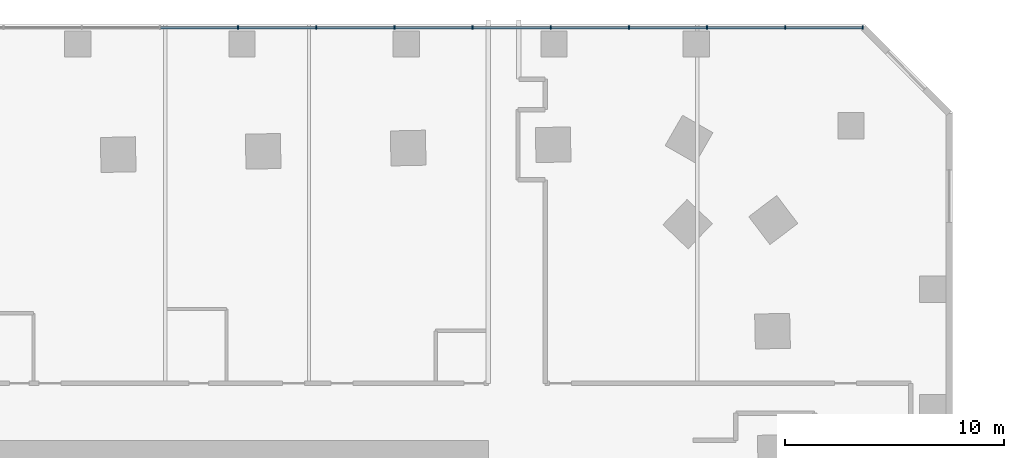
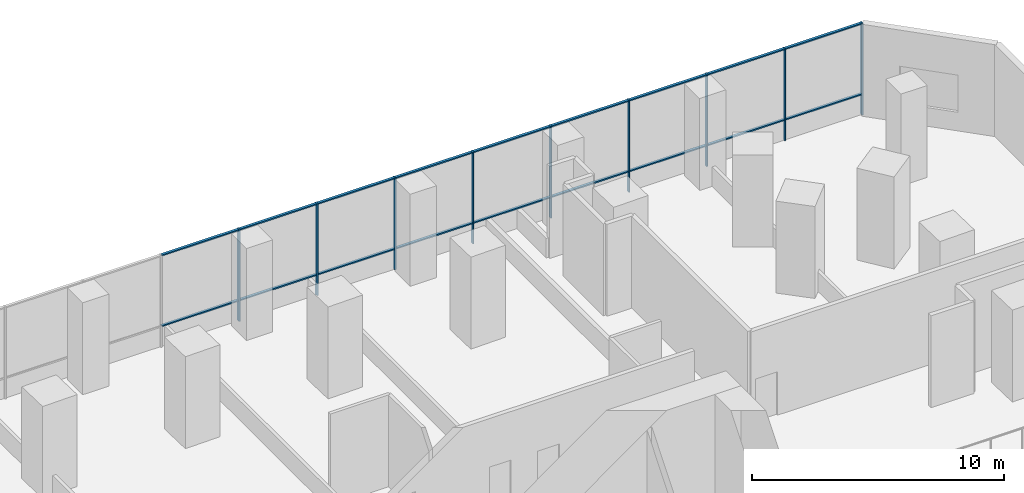
# One storey, part 3 of 12: 27 members, 1 element without a shape of its own.
"""IFC4 building model written with IfcOpenShell, lengths in metres."""

from ifc_helpers import new_model, si_unit, direction, frame, origin, origin_2d, place, context, subcontext, project, spatial, rectangle, extrude, material, material_profile, profile_set, type_object, element, aggregate, save


model = new_model("IFC4")

# Units and contexts
model_context = context("Model", 3, precision=1e-05, world=origin(), true_north=direction((0.0, 1.0)))
body_context = subcontext(model_context, "Body", "Model", "MODEL_VIEW")
ifc_project = project(units=[si_unit("LENGTHUNIT", "METRE"), si_unit("AREAUNIT", "SQUARE_METRE"), si_unit("VOLUMEUNIT", "CUBIC_METRE"), si_unit("PLANEANGLEUNIT", "RADIAN"), si_unit("MASSUNIT", "GRAM", prefix="KILO")], contexts=[model_context])

# Site, building, storey
site_placement = place(None, origin())
site = spatial("IfcSite", under=ifc_project, at=site_placement, CompositionType="ELEMENT")
building_placement = place(site_placement, origin())
building = spatial("IfcBuilding", under=site, at=building_placement, Name="Mangrove Gate Tower", CompositionType="ELEMENT")
storey_placement = place(building_placement, frame((0.0, 0.0, 11.0)))
storey = spatial("IfcBuildingStorey", under=building, at=storey_placement, Name="L02", CompositionType="ELEMENT", Elevation=11.0)

# Curtain wall, members
ifc_material_1 = material(Name="Aluminium and glass curtain wall", Category="aluminium")
curtain_wall_type = type_object("IfcCurtainWallType", Name="Podium amenity glazing wall", PredefinedType="NOTDEFINED", material=ifc_material_1)
curtain_wall_placement = place(storey_placement, origin())
curtain_wall = element("IfcCurtainWall", 1, at=curtain_wall_placement, inside=storey, type_object=curtain_wall_type, Name="Podium amenity glazing N12", PredefinedType="NOTDEFINED")
ifc_material_2 = material(Name="Aluminium alloy 6063-T6", Category="aluminium")
ifc_material_profile_1 = material_profile(ifc_material_2, rectangle(XDim=0.06005859375, YDim=0.159912109375, at=origin_2d()))
ifc_profile_set_1 = profile_set([ifc_material_profile_1], Name="Aluminium alloy 6063-T6")
member_type_1 = type_object("IfcMemberType", Name="Podium amenity glazing mullion 60x160", PredefinedType="MULLION", material=ifc_profile_set_1)
member_1_placement = place(storey_placement, frame((32.10791015625, 30.85009765625, 0.0), z_axis=(0.0, 0.0, 1.0), x_axis=(-1.0, 0.0, 0.0)))
member_1 = element("IfcMember", 2, at=member_1_placement, type_object=member_type_1, Name="CWP mullion 1", PredefinedType="MULLION", context=body_context, shape_type="SweptSolid", body=[
    extrude(rectangle(XDim=0.06005859375, YDim=0.159912109375, at=origin_2d()), origin(), (0.0, 0.0, 1.0), 4.449951171875),
])
member_2_placement = place(storey_placement, frame((28.56689453125, 30.85009765625, 0.0), z_axis=(0.0, 0.0, 1.0), x_axis=(-1.0, 0.0, 0.0)))
member_2 = element("IfcMember", 3, at=member_2_placement, type_object=member_type_1, Name="CWP mullion 2", PredefinedType="MULLION", context=body_context, shape_type="SweptSolid", body=[
    extrude(rectangle(XDim=0.06005859375, YDim=0.159912109375, at=origin_2d()), origin(), (0.0, 0.0, 1.0), 4.449951171875),
])
member_3_placement = place(storey_placement, frame((24.99609375, 30.85009765625, 0.0), z_axis=(0.0, 0.0, 1.0), x_axis=(-1.0, 0.0, 0.0)))
member_3 = element("IfcMember", 4, at=member_3_placement, type_object=member_type_1, Name="CWP mullion 3", PredefinedType="MULLION", context=body_context, shape_type="SweptSolid", body=[
    extrude(rectangle(XDim=0.06005859375, YDim=0.159912109375, at=origin_2d()), origin(), (0.0, 0.0, 1.0), 4.449951171875),
])
member_4_placement = place(storey_placement, frame((21.42529296875, 30.85009765625, 0.0), z_axis=(0.0, 0.0, 1.0), x_axis=(-1.0, 0.0, 0.0)))
member_4 = element("IfcMember", 5, at=member_4_placement, type_object=member_type_1, Name="CWP mullion 4", PredefinedType="MULLION", context=body_context, shape_type="SweptSolid", body=[
    extrude(rectangle(XDim=0.06005859375, YDim=0.159912109375, at=origin_2d()), origin(), (0.0, 0.0, 1.0), 4.449951171875),
])
member_5_placement = place(storey_placement, frame((17.8544921875, 30.85009765625, 0.0), z_axis=(0.0, 0.0, 1.0), x_axis=(-1.0, 0.0, 0.0)))
member_5 = element("IfcMember", 6, at=member_5_placement, type_object=member_type_1, Name="CWP mullion 5", PredefinedType="MULLION", context=body_context, shape_type="SweptSolid", body=[
    extrude(rectangle(XDim=0.06005859375, YDim=0.159912109375, at=origin_2d()), origin(), (0.0, 0.0, 1.0), 4.449951171875),
])
member_6_placement = place(storey_placement, frame((14.283447265625, 30.85009765625, 0.0), z_axis=(0.0, 0.0, 1.0), x_axis=(-1.0, 0.0, 0.0)))
member_6 = element("IfcMember", 7, at=member_6_placement, type_object=member_type_1, Name="CWP mullion 6", PredefinedType="MULLION", context=body_context, shape_type="SweptSolid", body=[
    extrude(rectangle(XDim=0.06005859375, YDim=0.159912109375, at=origin_2d()), origin(), (0.0, 0.0, 1.0), 4.449951171875),
])
member_7_placement = place(storey_placement, frame((10.712646484375, 30.85009765625, 0.0), z_axis=(0.0, 0.0, 1.0), x_axis=(-1.0, 0.0, 0.0)))
member_7 = element("IfcMember", 8, at=member_7_placement, type_object=member_type_1, Name="CWP mullion 7", PredefinedType="MULLION", context=body_context, shape_type="SweptSolid", body=[
    extrude(rectangle(XDim=0.06005859375, YDim=0.159912109375, at=origin_2d()), origin(), (0.0, 0.0, 1.0), 4.449951171875),
])
member_8_placement = place(storey_placement, frame((7.141845703125, 30.85009765625, 0.0), z_axis=(0.0, 0.0, 1.0), x_axis=(-1.0, 0.0, 0.0)))
member_8 = element("IfcMember", 9, at=member_8_placement, type_object=member_type_1, Name="CWP mullion 8", PredefinedType="MULLION", context=body_context, shape_type="SweptSolid", body=[
    extrude(rectangle(XDim=0.06005859375, YDim=0.159912109375, at=origin_2d()), origin(), (0.0, 0.0, 1.0), 4.449951171875),
])
member_9_placement = place(storey_placement, frame((3.57080078125, 30.85009765625, 0.0), z_axis=(0.0, 0.0, 1.0), x_axis=(-1.0, 0.0, 0.0)))
member_9 = element("IfcMember", 10, at=member_9_placement, type_object=member_type_1, Name="CWP mullion 9", PredefinedType="MULLION", context=body_context, shape_type="SweptSolid", body=[
    extrude(rectangle(XDim=0.06005859375, YDim=0.159912109375, at=origin_2d()), origin(), (0.0, 0.0, 1.0), 4.449951171875),
])
ifc_material_3 = material(Name="Aluminium alloy 6063-T6", Category="aluminium")
ifc_material_profile_2 = material_profile(ifc_material_3, rectangle(XDim=0.06005859375, YDim=0.1201171875, at=origin_2d()))
ifc_profile_set_2 = profile_set([ifc_material_profile_2], Name="Aluminium alloy 6063-T6")
member_type_2 = type_object("IfcMemberType", Name="Podium amenity glazing transom 60x120", PredefinedType="USERDEFINED", material=ifc_profile_set_2)
member_10_placement = place(storey_placement, frame((32.077880859375, 30.85009765625, 1.0), z_axis=(-1.0, 0.0, 0.0), x_axis=(0.0, 0.0, 1.0)))
member_10 = element("IfcMember", 11, at=member_10_placement, type_object=member_type_2, Name="CWP transom 1.2", ObjectType="TRANSOM", PredefinedType="USERDEFINED", context=body_context, shape_type="SweptSolid", body=[
    extrude(rectangle(XDim=0.06005859375, YDim=0.1201171875, at=origin_2d()), origin(), (0.0, 0.0, 1.0), 3.48095703125),
])
member_11_placement = place(storey_placement, frame((32.077880859375, 30.85009765625, 4.419921875), z_axis=(-1.0, 0.0, 0.0), x_axis=(0.0, 0.0, 1.0)))
member_11 = element("IfcMember", 12, at=member_11_placement, type_object=member_type_2, Name="CWP transom 1.3", ObjectType="TRANSOM", PredefinedType="USERDEFINED", context=body_context, shape_type="SweptSolid", body=[
    extrude(rectangle(XDim=0.06005859375, YDim=0.1201171875, at=origin_2d()), origin(), (0.0, 0.0, 1.0), 3.48095703125),
])
member_12_placement = place(storey_placement, frame((28.537109375, 30.85009765625, 1.0), z_axis=(-1.0, 0.0, 0.0), x_axis=(0.0, 0.0, 1.0)))
member_12 = element("IfcMember", 13, at=member_12_placement, type_object=member_type_2, Name="CWP transom 2.2", ObjectType="TRANSOM", PredefinedType="USERDEFINED", context=body_context, shape_type="SweptSolid", body=[
    extrude(rectangle(XDim=0.06005859375, YDim=0.1201171875, at=origin_2d()), origin(), (0.0, 0.0, 1.0), 3.510986328125),
])
member_13_placement = place(storey_placement, frame((28.537109375, 30.85009765625, 4.419921875), z_axis=(-1.0, 0.0, 0.0), x_axis=(0.0, 0.0, 1.0)))
member_13 = element("IfcMember", 14, at=member_13_placement, type_object=member_type_2, Name="CWP transom 2.3", ObjectType="TRANSOM", PredefinedType="USERDEFINED", context=body_context, shape_type="SweptSolid", body=[
    extrude(rectangle(XDim=0.06005859375, YDim=0.1201171875, at=origin_2d()), origin(), (0.0, 0.0, 1.0), 3.510986328125),
])
member_14_placement = place(storey_placement, frame((24.966064453125, 30.85009765625, 1.0), z_axis=(-1.0, 0.0, 0.0), x_axis=(0.0, 0.0, 1.0)))
member_14 = element("IfcMember", 15, at=member_14_placement, type_object=member_type_2, Name="CWP transom 3.2", ObjectType="TRANSOM", PredefinedType="USERDEFINED", context=body_context, shape_type="SweptSolid", body=[
    extrude(rectangle(XDim=0.06005859375, YDim=0.1201171875, at=origin_2d()), origin(), (0.0, 0.0, 1.0), 3.5107421875),
])
member_15_placement = place(storey_placement, frame((24.966064453125, 30.85009765625, 4.419921875), z_axis=(-1.0, 0.0, 0.0), x_axis=(0.0, 0.0, 1.0)))
member_15 = element("IfcMember", 16, at=member_15_placement, type_object=member_type_2, Name="CWP transom 3.3", ObjectType="TRANSOM", PredefinedType="USERDEFINED", context=body_context, shape_type="SweptSolid", body=[
    extrude(rectangle(XDim=0.06005859375, YDim=0.1201171875, at=origin_2d()), origin(), (0.0, 0.0, 1.0), 3.5107421875),
])
member_16_placement = place(storey_placement, frame((21.395263671875, 30.85009765625, 1.0), z_axis=(-1.0, 0.0, 0.0), x_axis=(0.0, 0.0, 1.0)))
member_16 = element("IfcMember", 17, at=member_16_placement, type_object=member_type_2, Name="CWP transom 4.2", ObjectType="TRANSOM", PredefinedType="USERDEFINED", context=body_context, shape_type="SweptSolid", body=[
    extrude(rectangle(XDim=0.06005859375, YDim=0.1201171875, at=origin_2d()), origin(), (0.0, 0.0, 1.0), 3.510986328125),
])
member_17_placement = place(storey_placement, frame((21.395263671875, 30.85009765625, 4.419921875), z_axis=(-1.0, 0.0, 0.0), x_axis=(0.0, 0.0, 1.0)))
member_17 = element("IfcMember", 18, at=member_17_placement, type_object=member_type_2, Name="CWP transom 4.3", ObjectType="TRANSOM", PredefinedType="USERDEFINED", context=body_context, shape_type="SweptSolid", body=[
    extrude(rectangle(XDim=0.06005859375, YDim=0.1201171875, at=origin_2d()), origin(), (0.0, 0.0, 1.0), 3.510986328125),
])
member_18_placement = place(storey_placement, frame((17.824462890625, 30.85009765625, 1.0), z_axis=(-1.0, 0.0, 0.0), x_axis=(0.0, 0.0, 1.0)))
member_18 = element("IfcMember", 19, at=member_18_placement, type_object=member_type_2, Name="CWP transom 5.2", ObjectType="TRANSOM", PredefinedType="USERDEFINED", context=body_context, shape_type="SweptSolid", body=[
    extrude(rectangle(XDim=0.06005859375, YDim=0.1201171875, at=origin_2d()), origin(), (0.0, 0.0, 1.0), 3.510986328125),
])
member_19_placement = place(storey_placement, frame((17.824462890625, 30.85009765625, 4.419921875), z_axis=(-1.0, 0.0, 0.0), x_axis=(0.0, 0.0, 1.0)))
member_19 = element("IfcMember", 20, at=member_19_placement, type_object=member_type_2, Name="CWP transom 5.3", ObjectType="TRANSOM", PredefinedType="USERDEFINED", context=body_context, shape_type="SweptSolid", body=[
    extrude(rectangle(XDim=0.06005859375, YDim=0.1201171875, at=origin_2d()), origin(), (0.0, 0.0, 1.0), 3.510986328125),
])
member_20_placement = place(storey_placement, frame((14.25341796875, 30.85009765625, 1.0), z_axis=(-1.0, 0.0, 0.0), x_axis=(0.0, 0.0, 1.0)))
member_20 = element("IfcMember", 21, at=member_20_placement, type_object=member_type_2, Name="CWP transom 6.2", ObjectType="TRANSOM", PredefinedType="USERDEFINED", context=body_context, shape_type="SweptSolid", body=[
    extrude(rectangle(XDim=0.06005859375, YDim=0.1201171875, at=origin_2d()), origin(), (0.0, 0.0, 1.0), 3.5107421875),
])
member_21_placement = place(storey_placement, frame((14.25341796875, 30.85009765625, 4.419921875), z_axis=(-1.0, 0.0, 0.0), x_axis=(0.0, 0.0, 1.0)))
member_21 = element("IfcMember", 22, at=member_21_placement, type_object=member_type_2, Name="CWP transom 6.3", ObjectType="TRANSOM", PredefinedType="USERDEFINED", context=body_context, shape_type="SweptSolid", body=[
    extrude(rectangle(XDim=0.06005859375, YDim=0.1201171875, at=origin_2d()), origin(), (0.0, 0.0, 1.0), 3.5107421875),
])
member_22_placement = place(storey_placement, frame((10.6826171875, 30.85009765625, 1.0), z_axis=(-1.0, 0.0, 0.0), x_axis=(0.0, 0.0, 1.0)))
member_22 = element("IfcMember", 23, at=member_22_placement, type_object=member_type_2, Name="CWP transom 7.2", ObjectType="TRANSOM", PredefinedType="USERDEFINED", context=body_context, shape_type="SweptSolid", body=[
    extrude(rectangle(XDim=0.06005859375, YDim=0.1201171875, at=origin_2d()), origin(), (0.0, 0.0, 1.0), 3.510986328125),
])
member_23_placement = place(storey_placement, frame((10.6826171875, 30.85009765625, 4.419921875), z_axis=(-1.0, 0.0, 0.0), x_axis=(0.0, 0.0, 1.0)))
member_23 = element("IfcMember", 24, at=member_23_placement, type_object=member_type_2, Name="CWP transom 7.3", ObjectType="TRANSOM", PredefinedType="USERDEFINED", context=body_context, shape_type="SweptSolid", body=[
    extrude(rectangle(XDim=0.06005859375, YDim=0.1201171875, at=origin_2d()), origin(), (0.0, 0.0, 1.0), 3.510986328125),
])
member_24_placement = place(storey_placement, frame((7.11181640625, 30.85009765625, 1.0), z_axis=(-1.0, 0.0, 0.0), x_axis=(0.0, 0.0, 1.0)))
member_24 = element("IfcMember", 25, at=member_24_placement, type_object=member_type_2, Name="CWP transom 8.2", ObjectType="TRANSOM", PredefinedType="USERDEFINED", context=body_context, shape_type="SweptSolid", body=[
    extrude(rectangle(XDim=0.06005859375, YDim=0.1201171875, at=origin_2d()), origin(), (0.0, 0.0, 1.0), 3.510986328125),
])
member_25_placement = place(storey_placement, frame((7.11181640625, 30.85009765625, 4.419921875), z_axis=(-1.0, 0.0, 0.0), x_axis=(0.0, 0.0, 1.0)))
member_25 = element("IfcMember", 26, at=member_25_placement, type_object=member_type_2, Name="CWP transom 8.3", ObjectType="TRANSOM", PredefinedType="USERDEFINED", context=body_context, shape_type="SweptSolid", body=[
    extrude(rectangle(XDim=0.06005859375, YDim=0.1201171875, at=origin_2d()), origin(), (0.0, 0.0, 1.0), 3.510986328125),
])
member_26_placement = place(storey_placement, frame((3.540771484375, 30.85009765625, 1.0), z_axis=(-1.0, 0.0, 0.0), x_axis=(0.0, 0.0, 1.0)))
member_26 = element("IfcMember", 27, at=member_26_placement, type_object=member_type_2, Name="CWP transom 9.2", ObjectType="TRANSOM", PredefinedType="USERDEFINED", context=body_context, shape_type="SweptSolid", body=[
    extrude(rectangle(XDim=0.06005859375, YDim=0.1201171875, at=origin_2d()), origin(), (0.0, 0.0, 1.0), 3.5107421875),
])
member_27_placement = place(storey_placement, frame((3.540771484375, 30.85009765625, 4.419921875), z_axis=(-1.0, 0.0, 0.0), x_axis=(0.0, 0.0, 1.0)))
member_27 = element("IfcMember", 28, at=member_27_placement, type_object=member_type_2, Name="CWP transom 9.3", ObjectType="TRANSOM", PredefinedType="USERDEFINED", context=body_context, shape_type="SweptSolid", body=[
    extrude(rectangle(XDim=0.06005859375, YDim=0.1201171875, at=origin_2d()), origin(), (0.0, 0.0, 1.0), 3.5107421875),
])
aggregate(curtain_wall, [member_1, member_2, member_3, member_4, member_5, member_6, member_7, member_8, member_9, member_10, member_11, member_12, member_13, member_14, member_15, member_16, member_17, member_18, member_19, member_20, member_21, member_22, member_23, member_24, member_25, member_26, member_27])

save(model, "model.ifc")
